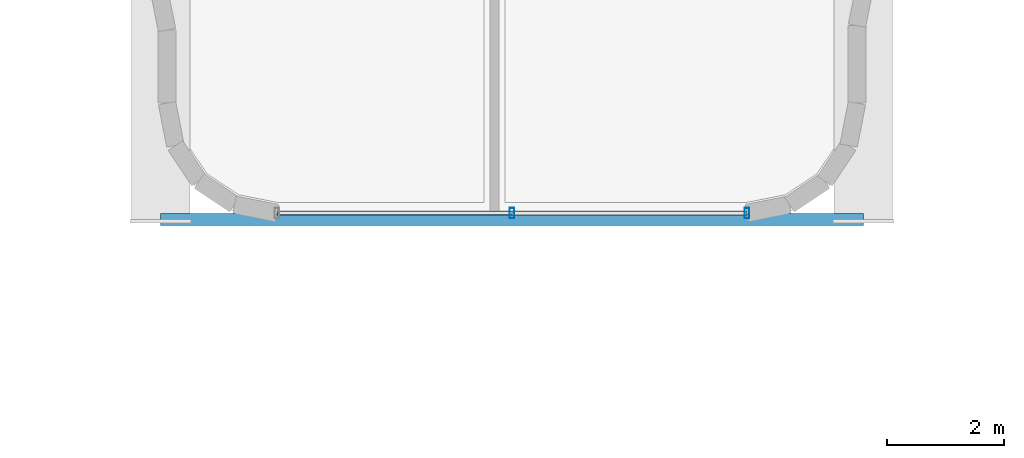
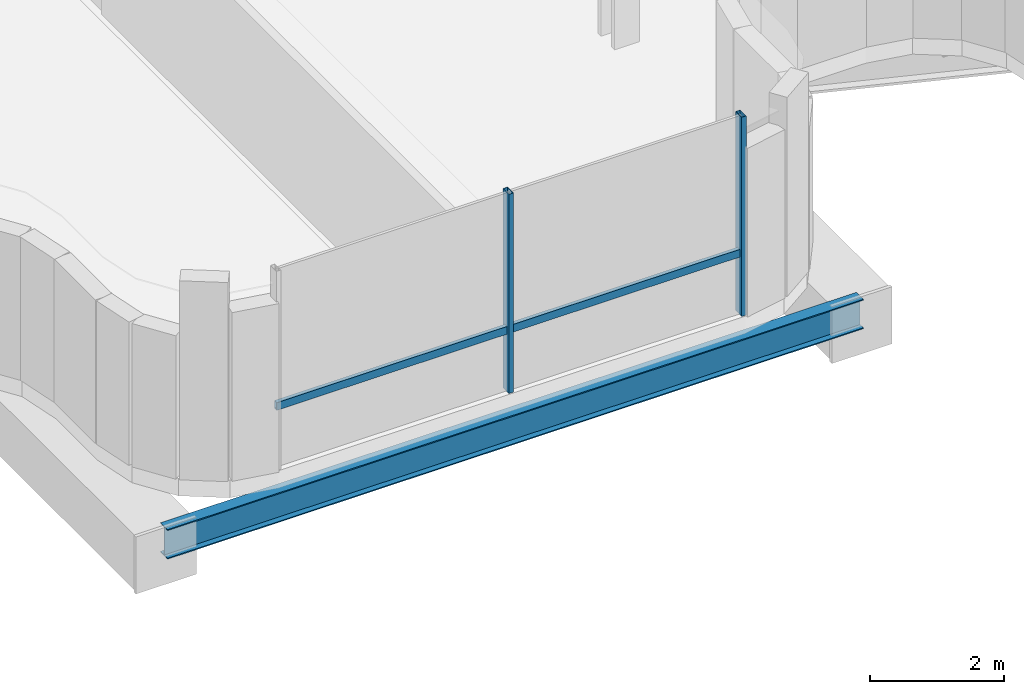
# One storey, part 11 of 37: 3 members, 1 beam, 1 element without a shape of its own.
"""IFC4 building model written with IfcOpenShell, lengths in metres."""

from ifc_helpers import new_model, si_unit, direction, frame, origin, origin_2d, place, context, subcontext, project, spatial, hollow_rectangle, i_section, extrude, source, transform, mapped, material, material_profile, profile_set, type_object, element, aggregate, save


model = new_model("IFC4")

# Units and contexts
model_context = context("Model", 3, precision=1e-05, world=origin(), true_north=direction((0.0, 1.0)))
body_context = subcontext(model_context, "Body", "Model", "MODEL_VIEW")
ifc_project = project(units=[si_unit("LENGTHUNIT", "METRE"), si_unit("AREAUNIT", "SQUARE_METRE"), si_unit("VOLUMEUNIT", "CUBIC_METRE"), si_unit("PLANEANGLEUNIT", "RADIAN"), si_unit("MASSUNIT", "GRAM", prefix="KILO")], contexts=[model_context])

# Site, building, storey
site_placement = place(None, origin())
site = spatial("IfcSite", under=ifc_project, at=site_placement, CompositionType="ELEMENT")
building_placement = place(site_placement, origin())
building = spatial("IfcBuilding", under=site, at=building_placement, Name="Valdorenza Pilgrim Sanctuary Tower", CompositionType="ELEMENT")
storey_placement = place(building_placement, frame((0.0, 0.0, 188.39990234375)))
storey = spatial("IfcBuildingStorey", under=building, at=storey_placement, Name="L48", CompositionType="ELEMENT", Elevation=188.39990234375)

# Beam
ifc_material_1 = material(Name="Steel ASTM A992 Grade 50", Category="steel")
ifc_material_profile_1 = material_profile(ifc_material_1, i_section(OverallWidth=0.2109375, OverallDepth=0.5390625, WebThickness=0.01171875, FlangeThickness=0.018798828125, at=origin_2d()), Name="W21X73")
ifc_profile_set_1 = profile_set([ifc_material_profile_1], Name="Steel ASTM A992 Grade 50")
beam_type = type_object("IfcBeamType", Name="STR-BM-SPN-W21B", PredefinedType="SPANDREL", material=ifc_profile_set_1)
shared_shape_1 = source(origin(), body_context, "Body", "SweptSolid", [
    extrude(i_section(OverallWidth=0.2109375, OverallDepth=0.5390625, WebThickness=0.01171875, FlangeThickness=0.018798828125, at=origin_2d()), origin(), (0.0, 0.0, 1.0), 12.0),
])
beam_placement = place(storey_placement, frame((-3.5, -7.199951171875, -0.58935546875), z_axis=(1.0, 0.0, 0.0), x_axis=(0.0, 1.0, 0.0)))
element("IfcBeam", 1, at=beam_placement, inside=storey, type_object=beam_type, Name="L48 South Prow Tip Spandrel PROW-TIP-S", PredefinedType="SPANDREL", context=body_context, shape_type="MappedRepresentation", body=[
    mapped(shared_shape_1, transform((0.0, 0.0, 0.0), x_axis=(1.0, 0.0, 0.0), y_axis=(0.0, 1.0, 0.0), z_axis=(0.0, 0.0, 1.0), scale=1.0)),
])

# Curtain wall, members
ifc_material_2 = material(Name="Curtain-wall IGU glazing", Category="glass")
curtain_wall_type = type_object("IfcCurtainWallType", Name="CW-SYS-05", PredefinedType="NOTDEFINED", material=ifc_material_2)
curtain_wall_placement = place(storey_placement, origin())
curtain_wall = element("IfcCurtainWall", 2, at=curtain_wall_placement, inside=storey, type_object=curtain_wall_type, Name="L48 Curtain Wall CW-L48-1-62", PredefinedType="NOTDEFINED")
ifc_material_3 = material(Name="Anodised aluminium AW-6060", Category="aluminium")
ifc_material_profile_2 = material_profile(ifc_material_3, hollow_rectangle(XDim=0.070068359375, YDim=0.139892578125, WallThickness=0.00341796875, at=origin_2d()), Name="ALU-T 140x70x3.5")
ifc_profile_set_2 = profile_set([ifc_material_profile_2], Name="Anodised aluminium AW-6060")
member_type_1 = type_object("IfcMemberType", Name="CW-TRN-05", PredefinedType="USERDEFINED", material=ifc_profile_set_2)
shared_shape_2 = source(origin(), body_context, "Body", "SweptSolid", [
    extrude(hollow_rectangle(XDim=0.070068359375, YDim=0.139892578125, WallThickness=0.00341796875, at=origin_2d()), origin(), (0.0, 0.0, 1.0), 8.0263671875),
])
member_1_placement = place(storey_placement, frame((6.51318359375, -7.090087890625, 1.1201171875), z_axis=(-1.0, 0.0, 0.0), x_axis=(0.0, -1.0, 0.0)))
member_1 = element("IfcMember", 3, at=member_1_placement, type_object=member_type_1, Name="CW-L48-1-62 Transom 1", ObjectType="TRANSOM", PredefinedType="USERDEFINED", context=body_context, shape_type="MappedRepresentation", body=[
    mapped(shared_shape_2, transform((0.0, 0.0, 0.0), x_axis=(1.0, 0.0, 0.0), y_axis=(0.0, 1.0, 0.0), z_axis=(0.0, 0.0, 1.0), scale=1.0)),
])
ifc_material_profile_3 = material_profile(ifc_material_3, hollow_rectangle(XDim=0.080078125, YDim=0.179931640625, WallThickness=0.00439453125, at=origin_2d()), Name="ALU-M 180x80x4.5")
ifc_profile_set_3 = profile_set([ifc_material_profile_3], Name="Anodised aluminium AW-6060")
member_type_2 = type_object("IfcMemberType", Name="CW-MUL-05", PredefinedType="MULLION", material=ifc_profile_set_3)
shared_shape_3 = source(origin(), body_context, "Body", "SweptSolid", [
    extrude(hollow_rectangle(XDim=0.080078125, YDim=0.179931640625, WallThickness=0.00439453125, at=origin_2d()), origin(), (0.0, 0.0, 1.0), 3.630126953125),
])
member_2_placement = place(storey_placement, frame((6.51318359375, -7.090087890625, 0.0), z_axis=(0.0, 0.0, 1.0), x_axis=(-1.0, 0.0, 0.0)))
member_2 = element("IfcMember", 4, at=member_2_placement, type_object=member_type_2, Name="CW-L48-1-62 Mullion 1", PredefinedType="MULLION", context=body_context, shape_type="MappedRepresentation", body=[
    mapped(shared_shape_3, transform((0.0, 0.0, 0.0), x_axis=(1.0, 0.0, 0.0), y_axis=(0.0, 1.0, 0.0), z_axis=(0.0, 0.0, 1.0), scale=1.0)),
])
member_3_placement = place(storey_placement, frame((2.5, -7.090087890625, 0.0), z_axis=(0.0, 0.0, 1.0), x_axis=(-1.0, 0.0, 0.0)))
member_3 = element("IfcMember", 5, at=member_3_placement, type_object=member_type_2, Name="CW-L48-1-62 Mullion 2", PredefinedType="MULLION", context=body_context, shape_type="MappedRepresentation", body=[
    mapped(shared_shape_3, transform((0.0, 0.0, 0.0), x_axis=(1.0, 0.0, 0.0), y_axis=(0.0, 1.0, 0.0), z_axis=(0.0, 0.0, 1.0), scale=1.0)),
])
aggregate(curtain_wall, [member_2, member_3, member_1])

save(model, "model.ifc")
